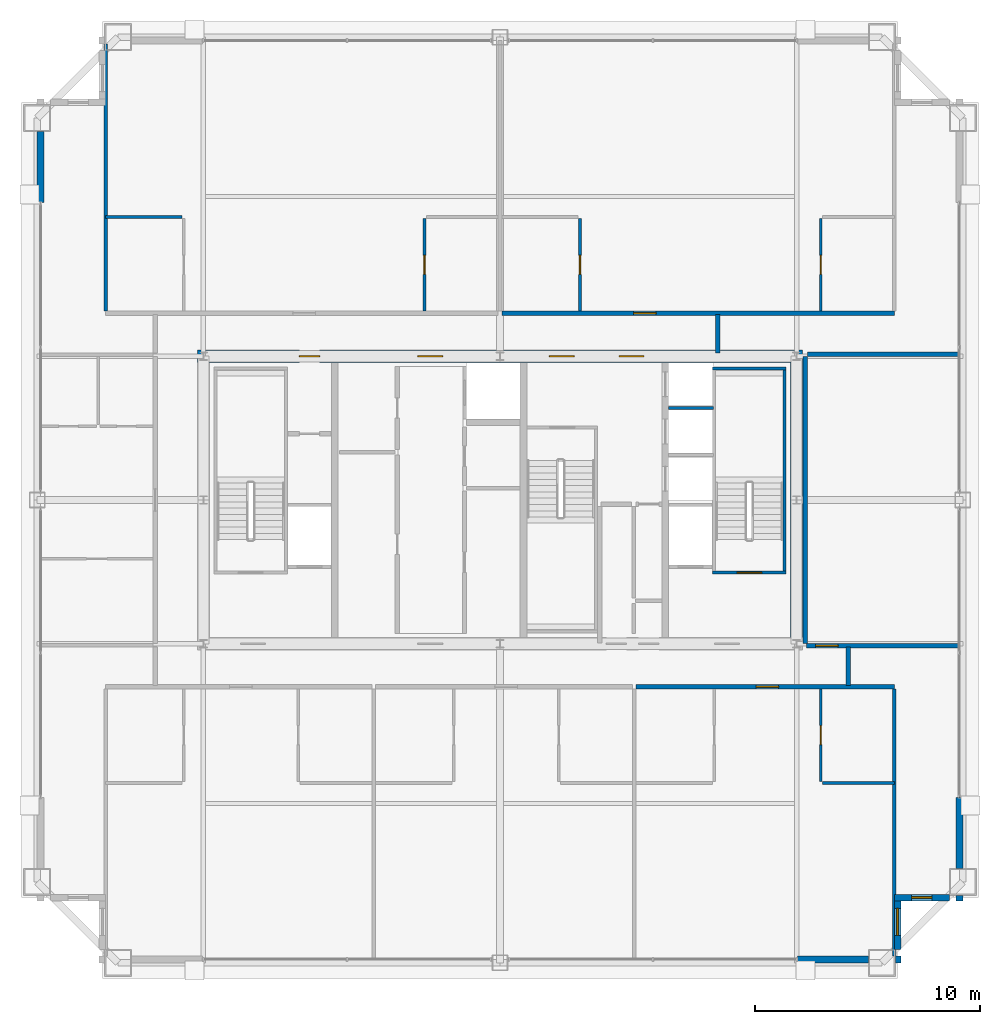
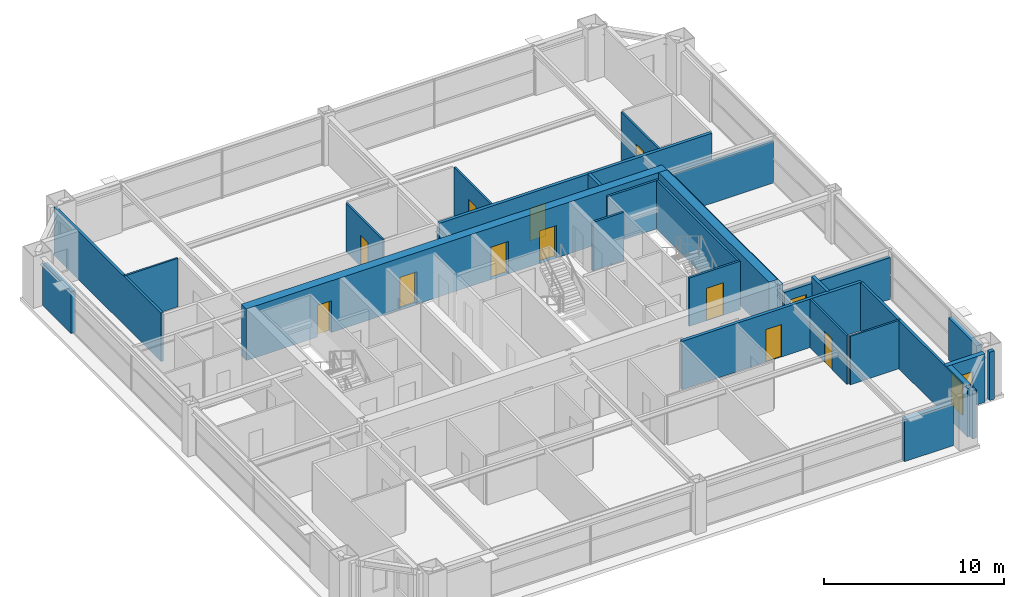
# One storey, part 35 of 37: 28 walls, 12 doors, 2 windows, 14 openings.
"""IFC4 building model written with IfcOpenShell, lengths in metres."""

from ifc_helpers import new_model, si_unit, direction, frame, frame_2d, origin, place, context, subcontext, project, spatial, rectangle, extrude, source, transform, mapped, material, layer, layer_set, type_object, element, fill, save


model = new_model("IFC4")

# Units and contexts
model_context = context("Model", 3, precision=1e-05, world=origin(), true_north=direction((0.0, 1.0)))
body_context = subcontext(model_context, "Body", "Model", "MODEL_VIEW")
ifc_project = project(units=[si_unit("LENGTHUNIT", "METRE"), si_unit("AREAUNIT", "SQUARE_METRE"), si_unit("VOLUMEUNIT", "CUBIC_METRE"), si_unit("PLANEANGLEUNIT", "RADIAN"), si_unit("MASSUNIT", "GRAM", prefix="KILO"), si_unit("THERMODYNAMICTEMPERATUREUNIT", "KELVIN"), si_unit("POWERUNIT", "WATT")], contexts=[model_context])

# Site, building, storey
site_placement = place(None, origin())
site = spatial("IfcSite", under=ifc_project, at=site_placement, CompositionType="ELEMENT")
building_placement = place(site_placement, origin())
building = spatial("IfcBuilding", under=site, at=building_placement, Name="Yuzanri Waterfront Tower", CompositionType="ELEMENT")
storey_placement = place(building_placement, frame((0.0, 0.0, 268.10009765625)))
storey = spatial("IfcBuildingStorey", under=building, at=storey_placement, Name="L71", CompositionType="ELEMENT", Elevation=268.10009765625)

# Wall, opening, door
ifc_material_1 = material(Name="Moisture-Resistant Gypsum Stud Wall", Category="gypsum")
ifc_layer_1 = layer(ifc_material_1, 0.1201171875)
ifc_layer_set_1 = layer_set([ifc_layer_1], Name="Moisture-Resistant Gypsum Stud Wall")
wall_type_1 = type_object("IfcWallType", Name="Bathroom and Kitchen Wet Partition 120", PredefinedType="PARTITIONING", material=ifc_layer_set_1)
wall_1_placement = place(storey_placement, frame((51.280029296875, 13.280029296875, 0.0), z_axis=(0.0, 0.0, 1.0), x_axis=(0.0, 1.0, 0.0)))
wall_1 = element("IfcWall", 1, at=wall_1_placement, inside=storey, type_object=wall_type_1, Name="L71 Partition UW-L71-HS3-SUB-2-W", PredefinedType="PARTITIONING", context=body_context, shape_type="SweptSolid", body=[
    extrude(rectangle(XDim=4.10986328125, YDim=0.1201171875, at=frame_2d((2.054931640625, 0.0))), origin(), (0.0, 0.0, 1.0), 3.27978515625),
])
opening_1_placement = place(wall_1_placement, frame((1.6298828125, 0.0, 0.0)))
opening_1 = element("IfcOpeningElement", 2, at=opening_1_placement, cuts=wall_1, Name="Opening ID-0850", PredefinedType="OPENING", context=body_context, shape_type="SweptSolid", body=[
    extrude(rectangle(XDim=0.85009765625, YDim=2.10009765625, at=frame_2d((0.425048828125, 1.050048828125))), frame((0.0, 0.074951171875, 0.0), z_axis=(0.0, -1.0, 0.0), x_axis=(1.0, 0.0, 0.0)), (0.0, 0.0, 1.0), 0.14990234375),
])
ifc_material_2 = material(Name="Moisture-Resistant Lacquered Timber", Category="wood")
door_type_1 = type_object("IfcDoorType", Name="En-Suite Bathroom and Kitchen Swing Door 850x2100", OperationType="NOTDEFINED", PredefinedType="DOOR", material=ifc_material_2)
shared_shape_1 = source(origin(), body_context, "Body", "SweptSolid", [
    extrude(rectangle(XDim=0.85009765625, YDim=2.10009765625, at=frame_2d((0.425048828125, 1.050048828125))), frame((0.0, 0.02490234375, 0.0), z_axis=(0.0, -1.0, 0.0), x_axis=(1.0, 0.0, 0.0)), (0.0, 0.0, 1.0), 0.050048828125),
])
door_1_placement = place(opening_1_placement, origin())
door_1 = element("IfcDoor", 3, at=door_1_placement, inside=storey, type_object=door_type_1, Name="L71 Suite Interior Room Door", OperationType="SINGLE_SWING_LEFT", OverallHeight=2.10009765625, OverallWidth=0.85009765625, PredefinedType="DOOR", context=body_context, shape_type="MappedRepresentation", body=[
    mapped(shared_shape_1, transform((0.0, 0.0, 0.0), scale=1.0)),
])
fill(opening_1, door_1)

wall_2_placement = place(storey_placement, frame((33.639892578125, 34.2099609375, 0.0), z_axis=(0.0, 0.0, 1.0), x_axis=(0.0, 1.0, 0.0)))
wall_2 = element("IfcWall", 4, at=wall_2_placement, inside=storey, type_object=wall_type_1, Name="L71 Partition UW-L71-HN1-SUB-2-W", PredefinedType="PARTITIONING", context=body_context, shape_type="SweptSolid", body=[
    extrude(rectangle(XDim=4.110107421875, YDim=0.1201171875, at=frame_2d((2.05517578125, 0.0))), origin(), (0.0, 0.0, 1.0), 3.27978515625),
])
opening_2_placement = place(wall_2_placement, frame((1.6298828125, 0.0, 0.0)))
opening_2 = element("IfcOpeningElement", 5, at=opening_2_placement, cuts=wall_2, Name="Opening ID-0850", PredefinedType="OPENING", context=body_context, shape_type="SweptSolid", body=[
    extrude(rectangle(XDim=0.85009765625, YDim=2.10009765625, at=frame_2d((0.425048828125, 1.050048828125))), frame((0.0, 0.074951171875, 0.0), z_axis=(0.0, -1.0, 0.0), x_axis=(1.0, 0.0, 0.0)), (0.0, 0.0, 1.0), 0.14990234375),
])
door_2_placement = place(opening_2_placement, origin())
door_2 = element("IfcDoor", 6, at=door_2_placement, inside=storey, type_object=door_type_1, Name="L71 Suite Interior Room Door", OperationType="SINGLE_SWING_RIGHT", OverallHeight=2.10009765625, OverallWidth=0.85009765625, PredefinedType="DOOR", context=body_context, shape_type="MappedRepresentation", body=[
    mapped(shared_shape_1, transform((0.0, 0.0, 0.0), scale=1.0)),
])
fill(opening_2, door_2)

wall_3_placement = place(storey_placement, frame((40.56005859375, 34.2099609375, 0.0), z_axis=(0.0, 0.0, 1.0), x_axis=(0.0, 1.0, 0.0)))
wall_3 = element("IfcWall", 7, at=wall_3_placement, inside=storey, type_object=wall_type_1, Name="L71 Partition UW-L71-HN2-SUB-1-E", PredefinedType="PARTITIONING", context=body_context, shape_type="SweptSolid", body=[
    extrude(rectangle(XDim=4.110107421875, YDim=0.1201171875, at=frame_2d((2.05517578125, 0.0))), origin(), (0.0, 0.0, 1.0), 3.27978515625),
])
opening_3_placement = place(wall_3_placement, frame((1.6298828125, 0.0, 0.0)))
opening_3 = element("IfcOpeningElement", 8, at=opening_3_placement, cuts=wall_3, Name="Opening ID-0850", PredefinedType="OPENING", context=body_context, shape_type="SweptSolid", body=[
    extrude(rectangle(XDim=0.85009765625, YDim=2.10009765625, at=frame_2d((0.425048828125, 1.050048828125))), frame((0.0, 0.074951171875, 0.0), z_axis=(0.0, -1.0, 0.0), x_axis=(1.0, 0.0, 0.0)), (0.0, 0.0, 1.0), 0.14990234375),
])
door_3_placement = place(opening_3_placement, origin())
door_3 = element("IfcDoor", 9, at=door_3_placement, inside=storey, type_object=door_type_1, Name="L71 Suite Interior Room Door", OperationType="SINGLE_SWING_RIGHT", OverallHeight=2.10009765625, OverallWidth=0.85009765625, PredefinedType="DOOR", context=body_context, shape_type="MappedRepresentation", body=[
    mapped(shared_shape_1, transform((0.0, 0.0, 0.0), scale=1.0)),
])
fill(opening_3, door_3)

wall_4_placement = place(storey_placement, frame((51.280029296875, 34.2099609375, 0.0), z_axis=(0.0, 0.0, 1.0), x_axis=(0.0, 1.0, 0.0)))
wall_4 = element("IfcWall", 10, at=wall_4_placement, inside=storey, type_object=wall_type_1, Name="L71 Partition UW-L71-HN2-SUB-2-W", PredefinedType="PARTITIONING", context=body_context, shape_type="SweptSolid", body=[
    extrude(rectangle(XDim=4.110107421875, YDim=0.1201171875, at=frame_2d((2.05517578125, 0.0))), origin(), (0.0, 0.0, 1.0), 3.27978515625),
])
opening_4_placement = place(wall_4_placement, frame((1.6298828125, 0.0, 0.0)))
opening_4 = element("IfcOpeningElement", 11, at=opening_4_placement, cuts=wall_4, Name="Opening ID-0850", PredefinedType="OPENING", context=body_context, shape_type="SweptSolid", body=[
    extrude(rectangle(XDim=0.85009765625, YDim=2.10009765625, at=frame_2d((0.425048828125, 1.050048828125))), frame((0.0, 0.074951171875, 0.0), z_axis=(0.0, -1.0, 0.0), x_axis=(1.0, 0.0, 0.0)), (0.0, 0.0, 1.0), 0.14990234375),
])
door_4_placement = place(opening_4_placement, origin())
door_4 = element("IfcDoor", 12, at=door_4_placement, inside=storey, type_object=door_type_1, Name="L71 Suite Interior Room Door", OperationType="SINGLE_SWING_LEFT", OverallHeight=2.10009765625, OverallWidth=0.85009765625, PredefinedType="DOOR", context=body_context, shape_type="MappedRepresentation", body=[
    mapped(shared_shape_1, transform((0.0, 0.0, 0.0), scale=1.0)),
])
fill(opening_4, door_4)

# Wall, opening, window
ifc_material_3 = material(Name="Honed Chongqing Dark Basalt Stone", Category="masonry")
ifc_layer_2 = layer(ifc_material_3, 0.300048828125)
ifc_layer_set_2 = layer_set([ifc_layer_2], Name="Honed Chongqing Dark Basalt Stone")
wall_type_2 = type_object("IfcWallType", Name="Bronze Rainscreen Insulated Spandrel Portal Wall 300", PredefinedType="SOLIDWALL", material=ifc_layer_set_2)
wall_5_placement = place(storey_placement, frame((54.550048828125, 8.10009765625, 0.0), z_axis=(0.0, 0.0, 1.0), x_axis=(1.0, 0.0, 0.0)))
wall_5 = element("IfcWall", 13, at=wall_5_placement, inside=storey, type_object=wall_type_2, Name="L71 Notched Corner Masonry Wall SE-X", PredefinedType="SOLIDWALL", context=body_context, shape_type="SweptSolid", body=[
    extrude(rectangle(XDim=2.449951171875, YDim=0.300048828125, at=frame_2d((1.22509765625, 0.0))), origin(), (0.0, 0.0, 1.0), 3.27978515625),
])
opening_5_placement = place(wall_5_placement, frame((0.77490234375, 0.0, 0.85009765625)))
opening_5 = element("IfcOpeningElement", 14, at=opening_5_placement, cuts=wall_5, Name="Opening WN-05", PredefinedType="OPENING", context=body_context, shape_type="SweptSolid", body=[
    extrude(rectangle(XDim=0.89990234375, YDim=1.5, at=frame_2d((0.449951171875, 0.75))), frame((0.0, 0.1650390625, 0.0), z_axis=(0.0, -1.0, 0.0), x_axis=(1.0, 0.0, 0.0)), (0.0, 0.0, 1.0), 0.329833984375),
])
ifc_material_4 = material(Name="Double-Silver Low-E Insulated Glass", Category="glass")
window_type_1 = type_object("IfcWindowType", Name="Anodized Bronze Service and Stairwell Smoke-Vent Window 900x1500", PartitioningType="SINGLE_PANEL", PredefinedType="WINDOW", material=ifc_material_4)
shared_shape_2 = source(origin(), body_context, "Body", "SweptSolid", [
    extrude(rectangle(XDim=0.89990234375, YDim=1.5, at=frame_2d((0.449951171875, 0.75))), frame((0.0, 0.030029296875, 0.0), z_axis=(0.0, -1.0, 0.0), x_axis=(1.0, 0.0, 0.0)), (0.0, 0.0, 1.0), 0.06005859375),
])
window_1_placement = place(opening_5_placement, origin())
window_1 = element("IfcWindow", 15, at=window_1_placement, inside=storey, type_object=window_type_1, Name="L71 Notched Corner Window SE-X", OverallHeight=1.5, OverallWidth=0.89990234375, PartitioningType="SINGLE_PANEL", PredefinedType="WINDOW", context=body_context, shape_type="MappedRepresentation", body=[
    mapped(shared_shape_2, transform((0.0, 0.0, 0.0), scale=1.0)),
])
fill(opening_5, window_1)

wall_6_placement = place(storey_placement, frame((54.699951171875, 5.800048828125, 0.0), z_axis=(0.0, 0.0, 1.0), x_axis=(0.0, 1.0, 0.0)))
wall_6 = element("IfcWall", 16, at=wall_6_placement, inside=storey, type_object=wall_type_2, Name="L71 Notched Corner Masonry Wall SE-Y", PredefinedType="SOLIDWALL", context=body_context, shape_type="SweptSolid", body=[
    extrude(rectangle(XDim=2.449951171875, YDim=0.300048828125, at=frame_2d((1.22509765625, 0.0))), origin(), (0.0, 0.0, 1.0), 3.27978515625),
])
opening_6_placement = place(wall_6_placement, frame((0.625, 0.0, 0.85009765625)))
opening_6 = element("IfcOpeningElement", 17, at=opening_6_placement, cuts=wall_6, Name="Opening WN-02", PredefinedType="OPENING", context=body_context, shape_type="SweptSolid", body=[
    extrude(rectangle(XDim=1.199951171875, YDim=2.10009765625, at=frame_2d((0.60009765625, 1.050048828125))), frame((0.0, 0.1650390625, 0.0), z_axis=(0.0, -1.0, 0.0), x_axis=(1.0, 0.0, 0.0)), (0.0, 0.0, 1.0), 0.329833984375),
])
ifc_material_5 = material(Name="Double-Silver Low-E Insulated Glass", Category="glass")
window_type_2 = type_object("IfcWindowType", Name="Anodized Bronze Notched Corner Deep-Set Slot Window 1200x2100", PartitioningType="SINGLE_PANEL", PredefinedType="WINDOW", material=ifc_material_5)
shared_shape_3 = source(origin(), body_context, "Body", "SweptSolid", [
    extrude(rectangle(XDim=1.199951171875, YDim=2.10009765625, at=frame_2d((0.60009765625, 1.050048828125))), frame((0.0, 0.030029296875, 0.0), z_axis=(0.0, -1.0, 0.0), x_axis=(1.0, 0.0, 0.0)), (0.0, 0.0, 1.0), 0.06005859375),
])
window_2_placement = place(opening_6_placement, origin())
window_2 = element("IfcWindow", 18, at=window_2_placement, inside=storey, type_object=window_type_2, Name="L71 Notched Corner Window SE-Y", OverallHeight=2.10009765625, OverallWidth=1.199951171875, PartitioningType="SINGLE_PANEL", PredefinedType="WINDOW", context=body_context, shape_type="MappedRepresentation", body=[
    mapped(shared_shape_3, transform((0.0, 0.0, 0.0), scale=1.0)),
])
fill(opening_6, window_2)

# Wall, openings, doors
ifc_material_6 = material(Name="Concrete C50", Category="concrete")
ifc_layer_3 = layer(ifc_material_6, 0.550048828125)
ifc_layer_set_3 = layer_set([ifc_layer_3], Name="Concrete C50")
wall_type_3 = type_object("IfcWallType", Name="Concrete C50 Upper-Mid Zone Core Shear Wall 550", PredefinedType="SHEAR", material=ifc_layer_set_3)
wall_7_placement = place(storey_placement, frame((23.52490234375, 32.199951171875, 0.0), z_axis=(0.0, 0.0, 1.0), x_axis=(1.0, 0.0, 0.0)))
wall_7 = element("IfcWall", 19, at=wall_7_placement, inside=storey, type_object=wall_type_3, Name="L71 Core North Shear Wall", PredefinedType="SHEAR", context=body_context, shape_type="SweptSolid", body=[
    extrude(rectangle(XDim=26.9501953125, YDim=0.550048828125, at=frame_2d((13.47509765625, 0.0))), origin(), (0.0, 0.0, 1.0), 3.5),
])
opening_7_placement = place(wall_7_placement, frame((4.544921875, 0.0, 0.0)))
opening_7 = element("IfcOpeningElement", 20, at=opening_7_placement, cuts=wall_7, Name="Opening FD-0900", PredefinedType="OPENING", context=body_context, shape_type="SweptSolid", body=[
    extrude(rectangle(XDim=0.89990234375, YDim=2.14990234375, at=frame_2d((0.449951171875, 1.074951171875))), frame((0.0, 0.2900390625, 0.0), z_axis=(0.0, -1.0, 0.0), x_axis=(1.0, 0.0, 0.0)), (0.0, 0.0, 1.0), 0.579833984375),
])
opening_8_placement = place(wall_7_placement, frame((9.824951171875, 0.0, 0.0)))
opening_8 = element("IfcOpeningElement", 21, at=opening_8_placement, cuts=wall_7, Name="Opening FD-1100", PredefinedType="OPENING", context=body_context, shape_type="SweptSolid", body=[
    extrude(rectangle(XDim=1.10009765625, YDim=2.199951171875, at=frame_2d((0.550048828125, 1.10009765625))), frame((0.0, 0.2900390625, 0.0), z_axis=(0.0, -1.0, 0.0), x_axis=(1.0, 0.0, 0.0)), (0.0, 0.0, 1.0), 0.579833984375),
])
opening_9_placement = place(wall_7_placement, frame((15.675048828125, 0.0, 0.0)))
opening_9 = element("IfcOpeningElement", 22, at=opening_9_placement, cuts=wall_7, Name="Opening FD-1100", PredefinedType="OPENING", context=body_context, shape_type="SweptSolid", body=[
    extrude(rectangle(XDim=1.10009765625, YDim=2.199951171875, at=frame_2d((0.550048828125, 1.10009765625))), frame((0.0, 0.2900390625, 0.0), z_axis=(0.0, -1.0, 0.0), x_axis=(1.0, 0.0, 0.0)), (0.0, 0.0, 1.0), 0.579833984375),
])
opening_10_placement = place(wall_7_placement, frame((18.77490234375, 0.0, 0.0)))
opening_10 = element("IfcOpeningElement", 23, at=opening_10_placement, cuts=wall_7, Name="Opening FD-1100", PredefinedType="OPENING", context=body_context, shape_type="SweptSolid", body=[
    extrude(rectangle(XDim=1.10009765625, YDim=2.199951171875, at=frame_2d((0.550048828125, 1.10009765625))), frame((0.0, 0.2900390625, 0.0), z_axis=(0.0, -1.0, 0.0), x_axis=(1.0, 0.0, 0.0)), (0.0, 0.0, 1.0), 0.579833984375),
])
ifc_material_7 = material(Name="Painted Galvanized Fire Steel", Category="steel")
door_type_2 = type_object("IfcDoorType", Name="Smoke-Proof Stair and Lobby Fire Door 1100x2200", OperationType="NOTDEFINED", PredefinedType="DOOR", material=ifc_material_7)
shared_shape_4 = source(origin(), body_context, "Body", "SweptSolid", [
    extrude(rectangle(XDim=1.10009765625, YDim=2.199951171875, at=frame_2d((0.550048828125, 1.10009765625))), frame((0.0, 0.02490234375, 0.0), z_axis=(0.0, -1.0, 0.0), x_axis=(1.0, 0.0, 0.0)), (0.0, 0.0, 1.0), 0.050048828125),
])
door_5_placement = place(opening_8_placement, origin())
door_5 = element("IfcDoor", 24, at=door_5_placement, inside=storey, type_object=door_type_2, Name="L71 Central Lift Lobby North Door", OperationType="SINGLE_SWING_RIGHT", OverallHeight=2.199951171875, OverallWidth=1.10009765625, PredefinedType="DOOR", context=body_context, shape_type="MappedRepresentation", body=[
    mapped(shared_shape_4, transform((0.0, 0.0, 0.0), scale=1.0)),
])
fill(opening_8, door_5)
door_6_placement = place(opening_9_placement, origin())
door_6 = element("IfcDoor", 25, at=door_6_placement, inside=storey, type_object=door_type_2, Name="L71 North Stair Lobby Door", OperationType="SINGLE_SWING_LEFT", OverallHeight=2.199951171875, OverallWidth=1.10009765625, PredefinedType="DOOR", context=body_context, shape_type="MappedRepresentation", body=[
    mapped(shared_shape_4, transform((0.0, 0.0, 0.0), scale=1.0)),
])
fill(opening_9, door_6)
door_7_placement = place(opening_10_placement, origin())
door_7 = element("IfcDoor", 26, at=door_7_placement, inside=storey, type_object=door_type_2, Name="L71 High-Rise Lift Lobby North Door", OperationType="SINGLE_SWING_RIGHT", OverallHeight=2.199951171875, OverallWidth=1.10009765625, PredefinedType="DOOR", context=body_context, shape_type="MappedRepresentation", body=[
    mapped(shared_shape_4, transform((0.0, 0.0, 0.0), scale=1.0)),
])
fill(opening_10, door_7)
ifc_material_8 = material(Name="Painted Galvanized Fire Steel", Category="steel")
door_type_3 = type_object("IfcDoorType", Name="Riser and Service Room Fire Door 900x2150", OperationType="NOTDEFINED", PredefinedType="DOOR", material=ifc_material_8)
shared_shape_5 = source(origin(), body_context, "Body", "SweptSolid", [
    extrude(rectangle(XDim=0.89990234375, YDim=2.14990234375, at=frame_2d((0.449951171875, 1.074951171875))), frame((0.0, 0.02490234375, 0.0), z_axis=(0.0, -1.0, 0.0), x_axis=(1.0, 0.0, 0.0)), (0.0, 0.0, 1.0), 0.050048828125),
])
door_8_placement = place(opening_7_placement, origin())
door_8 = element("IfcDoor", 27, at=door_8_placement, inside=storey, type_object=door_type_3, Name="L71 Telecom Riser Door", OperationType="SINGLE_SWING_LEFT", OverallHeight=2.14990234375, OverallWidth=0.89990234375, PredefinedType="DOOR", context=body_context, shape_type="MappedRepresentation", body=[
    mapped(shared_shape_5, transform((0.0, 0.0, 0.0), scale=1.0)),
])
fill(opening_7, door_8)

# Wall, opening, door
ifc_material_9 = material(Name="Concrete C40", Category="concrete")
ifc_layer_4 = layer(ifc_material_9, 0.139892578125)
ifc_layer_set_4 = layer_set([ifc_layer_4], Name="Concrete C40")
wall_type_4 = type_object("IfcWallType", Name="Core Stair Liner and Hoistway Shaft Wall 140", PredefinedType="SOLIDWALL", material=ifc_layer_set_4)
wall_8_placement = place(storey_placement, frame((46.4599609375, 22.570068359375, 0.0), z_axis=(0.0, 0.0, 1.0), x_axis=(1.0, 0.0, 0.0)))
wall_8 = element("IfcWall", 28, at=wall_8_placement, inside=storey, type_object=wall_type_4, Name="L71 Shaft Wall STW-L71-ST-02-S", PredefinedType="SOLIDWALL", context=body_context, shape_type="SweptSolid", body=[
    extrude(rectangle(XDim=3.280029296875, YDim=0.139892578125, at=frame_2d((1.64013671875, 0.0))), origin(), (0.0, 0.0, 1.0), 3.27978515625),
])
opening_11_placement = place(wall_8_placement, frame((1.090087890625, 0.0, 0.0)))
opening_11 = element("IfcOpeningElement", 29, at=opening_11_placement, cuts=wall_8, Name="Opening FD-1100", PredefinedType="OPENING", context=body_context, shape_type="SweptSolid", body=[
    extrude(rectangle(XDim=1.10009765625, YDim=2.199951171875, at=frame_2d((0.550048828125, 1.10009765625))), frame((0.0, 0.0849609375, 0.0), z_axis=(0.0, -1.0, 0.0), x_axis=(1.0, 0.0, 0.0)), (0.0, 0.0, 1.0), 0.169677734375),
])
door_9_placement = place(opening_11_placement, origin())
door_9 = element("IfcDoor", 30, at=door_9_placement, inside=storey, type_object=door_type_2, Name="L71 Stair ST-02 Fire Door", OperationType="SINGLE_SWING_RIGHT", OverallHeight=2.199951171875, OverallWidth=1.10009765625, PredefinedType="DOOR", context=body_context, shape_type="MappedRepresentation", body=[
    mapped(shared_shape_4, transform((0.0, 0.0, 0.0), scale=1.0)),
])
fill(opening_11, door_9)

ifc_material_10 = material(Name="Autoclaved Aerated Concrete Blockwork", Category="masonry")
ifc_layer_5 = layer(ifc_material_10, 0.199951171875)
ifc_layer_set_5 = layer_set([ifc_layer_5], Name="Autoclaved Aerated Concrete Blockwork")
wall_type_5 = type_object("IfcWallType", Name="Corridor and Unit Party Fire Wall 200", PredefinedType="PARTITIONING", material=ifc_layer_set_5)
wall_9_placement = place(storey_placement, frame((43.050048828125, 17.489990234375, 0.0), z_axis=(0.0, 0.0, 1.0), x_axis=(1.0, 0.0, 0.0)))
wall_9 = element("IfcWall", 31, at=wall_9_placement, inside=storey, type_object=wall_type_5, Name="L71 Partition UW-L71-HS3-CN", PredefinedType="PARTITIONING", context=body_context, shape_type="SweptSolid", body=[
    extrude(rectangle(XDim=11.510009765625, YDim=0.199951171875, at=frame_2d((5.7548828125, 0.0))), origin(), (0.0, 0.0, 1.0), 3.27978515625),
])
opening_12_placement = place(wall_9_placement, frame((5.35498046875, 0.0, 0.0)))
opening_12 = element("IfcOpeningElement", 32, at=opening_12_placement, cuts=wall_9, Name="Opening FD-1000", PredefinedType="OPENING", context=body_context, shape_type="SweptSolid", body=[
    extrude(rectangle(XDim=1.0, YDim=2.199951171875, at=frame_2d((0.5, 1.10009765625))), frame((0.0, 0.11474609375, 0.0), z_axis=(0.0, -1.0, 0.0), x_axis=(1.0, 0.0, 0.0)), (0.0, 0.0, 1.0), 0.229736328125),
])
ifc_material_11 = material(Name="Engineered Oak Fire-Rated Timber", Category="wood")
door_type_4 = type_object("IfcDoorType", Name="Guestroom and Apartment Entrance Fire Door 1000x2200", OperationType="NOTDEFINED", PredefinedType="DOOR", material=ifc_material_11)
shared_shape_6 = source(origin(), body_context, "Body", "SweptSolid", [
    extrude(rectangle(XDim=1.0, YDim=2.199951171875, at=frame_2d((0.5, 1.10009765625))), frame((0.0, 0.02490234375, 0.0), z_axis=(0.0, -1.0, 0.0), x_axis=(1.0, 0.0, 0.0)), (0.0, 0.0, 1.0), 0.050048828125),
])
door_10_placement = place(opening_12_placement, origin())
door_10 = element("IfcDoor", 33, at=door_10_placement, inside=storey, type_object=door_type_4, Name="L71 Studio Living and Sleeping Room Entrance Door", OperationType="SINGLE_SWING_LEFT", OverallHeight=2.199951171875, OverallWidth=1.0, PredefinedType="DOOR", context=body_context, shape_type="MappedRepresentation", body=[
    mapped(shared_shape_6, transform((0.0, 0.0, 0.0), scale=1.0)),
])
fill(opening_12, door_10)

wall_10_placement = place(storey_placement, frame((37.080078125, 34.110107421875, 0.0), z_axis=(0.0, 0.0, 1.0), x_axis=(1.0, 0.0, 0.0)))
wall_10 = element("IfcWall", 34, at=wall_10_placement, inside=storey, type_object=wall_type_5, Name="L71 Partition UW-L71-HN2-CS", PredefinedType="PARTITIONING", context=body_context, shape_type="SweptSolid", body=[
    extrude(rectangle(XDim=17.47998046875, YDim=0.199951171875, at=frame_2d((8.739990234375, 0.0))), origin(), (0.0, 0.0, 1.0), 3.27978515625),
])
opening_13_placement = place(wall_10_placement, frame((5.864990234375, 0.0, 0.0)))
opening_13 = element("IfcOpeningElement", 35, at=opening_13_placement, cuts=wall_10, Name="Opening FD-1000", PredefinedType="OPENING", context=body_context, shape_type="SweptSolid", body=[
    extrude(rectangle(XDim=1.0, YDim=2.199951171875, at=frame_2d((0.5, 1.10009765625))), frame((0.0, 0.11474609375, 0.0), z_axis=(0.0, -1.0, 0.0), x_axis=(1.0, 0.0, 0.0)), (0.0, 0.0, 1.0), 0.229736328125),
])
door_11_placement = place(opening_13_placement, origin())
door_11 = element("IfcDoor", 36, at=door_11_placement, inside=storey, type_object=door_type_4, Name="L71 Studio Living and Sleeping Room Entrance Door", OperationType="SINGLE_SWING_LEFT", OverallHeight=2.199951171875, OverallWidth=1.0, PredefinedType="DOOR", context=body_context, shape_type="MappedRepresentation", body=[
    mapped(shared_shape_6, transform((0.0, 0.0, 0.0), scale=1.0)),
])
fill(opening_13, door_11)

wall_11_placement = place(storey_placement, frame((50.64990234375, 19.31005859375, 0.0), z_axis=(0.0, 0.0, 1.0), x_axis=(1.0, 0.0, 0.0)))
wall_11 = element("IfcWall", 37, at=wall_11_placement, inside=storey, type_object=wall_type_5, Name="L71 Partition UW-L71-040-CS", PredefinedType="PARTITIONING", context=body_context, shape_type="SweptSolid", body=[
    extrude(rectangle(XDim=6.800048828125, YDim=0.199951171875, at=frame_2d((3.39990234375, 0.0))), origin(), (0.0, 0.0, 1.0), 2.824951171875),
])
opening_14_placement = place(wall_11_placement, frame((0.39990234375, 0.0, 0.0)))
opening_14 = element("IfcOpeningElement", 38, at=opening_14_placement, cuts=wall_11, Name="Opening FD-1000", PredefinedType="OPENING", context=body_context, shape_type="SweptSolid", body=[
    extrude(rectangle(XDim=1.0, YDim=2.199951171875, at=frame_2d((0.5, 1.10009765625))), frame((0.0, 0.11474609375, 0.0), z_axis=(0.0, -1.0, 0.0), x_axis=(1.0, 0.0, 0.0)), (0.0, 0.0, 1.0), 0.229736328125),
])
door_12_placement = place(opening_14_placement, origin())
door_12 = element("IfcDoor", 39, at=door_12_placement, inside=storey, type_object=door_type_4, Name="L71 High-Rise E Horizon Club Room Entrance Door", OperationType="SINGLE_SWING_RIGHT", OverallHeight=2.199951171875, OverallWidth=1.0, PredefinedType="DOOR", context=body_context, shape_type="MappedRepresentation", body=[
    mapped(shared_shape_6, transform((0.0, 0.0, 0.0), scale=1.0)),
])
fill(opening_14, door_12)

# Walls
shared_shape_7 = source(origin(), body_context, "Body", "SweptSolid", [
    extrude(rectangle(XDim=12.25, YDim=0.550048828125, at=frame_2d((6.125, 0.0))), origin(), (0.0, 0.0, 1.0), 3.5),
])
wall_12_placement = place(storey_placement, frame((50.199951171875, 19.675048828125, 0.0), z_axis=(0.0, 0.0, 1.0), x_axis=(0.0, 1.0, 0.0)))
element("IfcWall", 40, at=wall_12_placement, inside=storey, type_object=wall_type_3, Name="L71 Core East Shear Wall", PredefinedType="SHEAR", context=body_context, shape_type="MappedRepresentation", body=[
    mapped(shared_shape_7, transform((0.0, 0.0, 0.0), scale=1.0)),
])
shared_shape_8 = source(origin(), body_context, "Body", "SweptSolid", [
    extrude(rectangle(XDim=0.25, YDim=0.300048828125, at=frame_2d((0.125, 0.0))), origin(), (0.0, 0.0, 1.0), 3.27978515625),
])
for number, where, z_axis, x_axis, name in (
    (41, (54.60009765625, 5.35009765625, 0.0), (0.0, 0.0, 1.0), (1.0, 0.0, 0.0), "L71 Corner Column Shoulder Return CSE"),
    (42, (57.449951171875, 7.949951171875, 0.0), (0.0, 0.0, 1.0), (0.0, 1.0, 0.0), "L71 Corner Column Shoulder Return CES"),
):
    element("IfcWall", number, at=place(storey_placement, frame(where, z_axis=z_axis, x_axis=x_axis)), inside=storey, type_object=wall_type_2, Name=name, PredefinedType="SOLIDWALL", context=body_context, shape_type="MappedRepresentation", body=[
        mapped(shared_shape_8, transform((0.0, 0.0, 0.0), scale=1.0)),
    ])
shared_shape_9 = source(origin(), body_context, "Body", "SweptSolid", [
    extrude(rectangle(XDim=3.14990234375, YDim=0.300048828125, at=frame_2d((1.574951171875, 0.0))), origin(), (0.0, 0.0, 1.0), 2.8349609375),
])
for number, where, z_axis, x_axis, name in (
    (43, (50.25, 5.35009765625, 0.0), (0.0, 0.0, 1.0), (1.0, 0.0, 0.0), "L71 S Right Braced Masonry Shoulder"),
    (44, (16.550048828125, 39.050048828125, 0.0), (0.0, 0.0, 1.0), (0.0, 1.0, 0.0), "L71 W Right Braced Masonry Shoulder"),
):
    element("IfcWall", number, at=place(storey_placement, frame(where, z_axis=z_axis, x_axis=x_axis)), inside=storey, type_object=wall_type_2, Name=name, PredefinedType="SOLIDWALL", context=body_context, shape_type="MappedRepresentation", body=[
        mapped(shared_shape_9, transform((0.0, 0.0, 0.0), scale=1.0)),
    ])
shared_shape_10 = source(origin(), body_context, "Body", "SweptSolid", [
    extrude(rectangle(XDim=3.150146484375, YDim=0.300048828125, at=frame_2d((1.5751953125, 0.0))), origin(), (0.0, 0.0, 1.0), 2.8349609375),
])
wall_13_placement = place(storey_placement, frame((57.449951171875, 9.39990234375, 0.0), z_axis=(0.0, 0.0, 1.0), x_axis=(0.0, 1.0, 0.0)))
element("IfcWall", 45, at=wall_13_placement, inside=storey, type_object=wall_type_2, Name="L71 E Left Braced Masonry Shoulder", PredefinedType="SOLIDWALL", context=body_context, shape_type="MappedRepresentation", body=[
    mapped(shared_shape_10, transform((0.0, 0.0, 0.0), scale=1.0)),
])
shared_shape_11 = source(origin(), body_context, "Body", "SweptSolid", [
    extrude(rectangle(XDim=2.0, YDim=0.139892578125, at=frame_2d((1.0, 0.0))), origin(), (0.0, 0.0, 1.0), 3.27978515625),
])
wall_14_placement = place(storey_placement, frame((44.5, 29.89990234375, 0.0), z_axis=(0.0, 0.0, 1.0), x_axis=(1.0, 0.0, 0.0)))
element("IfcWall", 46, at=wall_14_placement, inside=storey, type_object=wall_type_4, Name="L71 Lift PL-10 Divider Wall", PredefinedType="SOLIDWALL", context=body_context, shape_type="MappedRepresentation", body=[
    mapped(shared_shape_11, transform((0.0, 0.0, 0.0), scale=1.0)),
])
shared_shape_12 = source(origin(), body_context, "Body", "SweptSolid", [
    extrude(rectangle(XDim=3.280029296875, YDim=0.139892578125, at=frame_2d((1.64013671875, 0.0))), origin(), (0.0, 0.0, 1.0), 3.27978515625),
])
wall_15_placement = place(storey_placement, frame((46.4599609375, 31.64990234375, 0.0), z_axis=(0.0, 0.0, 1.0), x_axis=(1.0, 0.0, 0.0)))
element("IfcWall", 47, at=wall_15_placement, inside=storey, type_object=wall_type_4, Name="L71 Stair ST-02 North Shaft Wall", PredefinedType="SOLIDWALL", context=body_context, shape_type="MappedRepresentation", body=[
    mapped(shared_shape_12, transform((0.0, 0.0, 0.0), scale=1.0)),
])
shared_shape_13 = source(origin(), body_context, "Body", "SweptSolid", [
    extrude(rectangle(XDim=8.940185546875, YDim=0.139892578125, at=frame_2d((4.47021484375, 0.0))), origin(), (0.0, 0.0, 1.0), 3.27978515625),
])
wall_16_placement = place(storey_placement, frame((49.669921875, 22.639892578125, 0.0), z_axis=(0.0, 0.0, 1.0), x_axis=(0.0, 1.0, 0.0)))
element("IfcWall", 48, at=wall_16_placement, inside=storey, type_object=wall_type_4, Name="L71 Stair ST-02 East Shaft Wall", PredefinedType="SOLIDWALL", context=body_context, shape_type="MappedRepresentation", body=[
    mapped(shared_shape_13, transform((0.0, 0.0, 0.0), scale=1.0)),
])
shared_shape_14 = source(origin(), body_context, "Body", "SweptSolid", [
    extrude(rectangle(XDim=3.400146484375, YDim=0.1201171875, at=frame_2d((1.7001953125, 0.0))), origin(), (0.0, 0.0, 1.0), 3.27978515625),
])
wall_17_placement = place(storey_placement, frame((19.43994140625, 38.39990234375, 0.0), z_axis=(0.0, 0.0, 1.0), x_axis=(1.0, 0.0, 0.0)))
element("IfcWall", 49, at=wall_17_placement, inside=storey, type_object=wall_type_1, Name="L71 Partition UW-L71-HN1-SUB-1-N", PredefinedType="PARTITIONING", context=body_context, shape_type="MappedRepresentation", body=[
    mapped(shared_shape_14, transform((0.0, 0.0, 0.0), scale=1.0)),
])
shared_shape_15 = source(origin(), body_context, "Body", "SweptSolid", [
    extrude(rectangle(XDim=3.199951171875, YDim=0.1201171875, at=frame_2d((1.60009765625, 0.0))), origin(), (0.0, 0.0, 1.0), 3.27978515625),
])
wall_18_placement = place(storey_placement, frame((51.360107421875, 13.199951171875, 0.0), z_axis=(0.0, 0.0, 1.0), x_axis=(1.0, 0.0, 0.0)))
element("IfcWall", 50, at=wall_18_placement, inside=storey, type_object=wall_type_1, Name="L71 Partition UW-L71-HS3-SUB-2-S", PredefinedType="PARTITIONING", context=body_context, shape_type="MappedRepresentation", body=[
    mapped(shared_shape_15, transform((0.0, 0.0, 0.0), scale=1.0)),
])
ifc_material_12 = material(Name="Gypsum Fireboard Acoustic Stud Wall", Category="gypsum")
ifc_layer_6 = layer(ifc_material_12, 0.159912109375)
ifc_layer_set_6 = layer_set([ifc_layer_6], Name="Gypsum Fireboard Acoustic Stud Wall")
wall_type_6 = type_object("IfcWallType", Name="Acoustic Suite Demising Partition 160", PredefinedType="PARTITIONING", material=ifc_layer_set_6)
shared_shape_16 = source(origin(), body_context, "Body", "SweptSolid", [
    extrude(rectangle(XDim=11.89013671875, YDim=0.159912109375, at=frame_2d((5.945068359375, 0.0))), origin(), (0.0, 0.0, 1.0), 3.27978515625),
])
wall_19_placement = place(storey_placement, frame((19.449951171875, 34.2099609375, 0.0), z_axis=(0.0, 0.0, 1.0), x_axis=(0.0, 1.0, 0.0)))
element("IfcWall", 51, at=wall_19_placement, inside=storey, type_object=wall_type_6, Name="L71 North Band West End Wall", PredefinedType="PARTITIONING", context=body_context, shape_type="MappedRepresentation", body=[
    mapped(shared_shape_16, transform((0.0, 0.0, 0.0), scale=1.0)),
])
shared_shape_17 = source(origin(), body_context, "Body", "SweptSolid", [
    extrude(rectangle(XDim=1.699951171875, YDim=0.199951171875, at=frame_2d((0.85009765625, 0.0))), origin(), (0.0, 0.0, 1.0), 3.27978515625),
])
for number, where, z_axis, x_axis, name in (
    (52, (46.699951171875, 32.35009765625, 0.0), (0.0, 0.0, 1.0), (0.0, 1.0, 0.0), "L71 North Foyer East End Wall"),
    (53, (52.5, 17.550048828125, 0.0), (0.0, 0.0, 1.0), (0.0, 1.0, 0.0), "L71 South Foyer East End Wall"),
):
    element("IfcWall", number, at=place(storey_placement, frame(where, z_axis=z_axis, x_axis=x_axis)), inside=storey, type_object=wall_type_5, Name=name, PredefinedType="PARTITIONING", context=body_context, shape_type="MappedRepresentation", body=[
        mapped(shared_shape_17, transform((0.0, 0.0, 0.0), scale=1.0)),
    ])
shared_shape_18 = source(origin(), body_context, "Body", "SweptSolid", [
    extrude(rectangle(XDim=11.889892578125, YDim=0.159912109375, at=frame_2d((5.94482421875, 0.0))), origin(), (0.0, 0.0, 1.0), 3.27978515625),
])
wall_20_placement = place(storey_placement, frame((54.550048828125, 5.5, 0.0), z_axis=(0.0, 0.0, 1.0), x_axis=(0.0, 1.0, 0.0)))
element("IfcWall", 54, at=wall_20_placement, inside=storey, type_object=wall_type_6, Name="L71 South Band East End Wall", PredefinedType="PARTITIONING", context=body_context, shape_type="MappedRepresentation", body=[
    mapped(shared_shape_18, transform((0.0, 0.0, 0.0), scale=1.0)),
])
shared_shape_19 = source(origin(), body_context, "Body", "SweptSolid", [
    extrude(rectangle(XDim=6.764892578125, YDim=0.199951171875, at=frame_2d((3.38232421875, 0.0))), origin(), (0.0, 0.0, 1.0), 2.824951171875),
])
wall_21_placement = place(storey_placement, frame((50.68505859375, 32.2900390625, 0.0), z_axis=(0.0, 0.0, 1.0), x_axis=(1.0, 0.0, 0.0)))
element("IfcWall", 55, at=wall_21_placement, inside=storey, type_object=wall_type_5, Name="L71-040 Wing North Wall", PredefinedType="PARTITIONING", context=body_context, shape_type="MappedRepresentation", body=[
    mapped(shared_shape_19, transform((0.0, 0.0, 0.0), scale=1.0)),
])
shared_shape_20 = source(origin(), body_context, "Body", "SweptSolid", [
    extrude(rectangle(XDim=12.780029296875, YDim=0.199951171875, at=frame_2d((6.39013671875, 0.0))), origin(), (0.0, 0.0, 1.0), 3.27978515625),
])
wall_22_placement = place(storey_placement, frame((50.580078125, 19.409912109375, 0.0), z_axis=(0.0, 0.0, 1.0), x_axis=(0.0, 1.0, 0.0)))
element("IfcWall", 56, at=wall_22_placement, inside=storey, type_object=wall_type_5, Name="L71-040 Wing Inner Core-Side Wall", PredefinedType="PARTITIONING", context=body_context, shape_type="MappedRepresentation", body=[
    mapped(shared_shape_20, transform((0.0, 0.0, 0.0), scale=1.0)),
])

save(model, "model.ifc")
